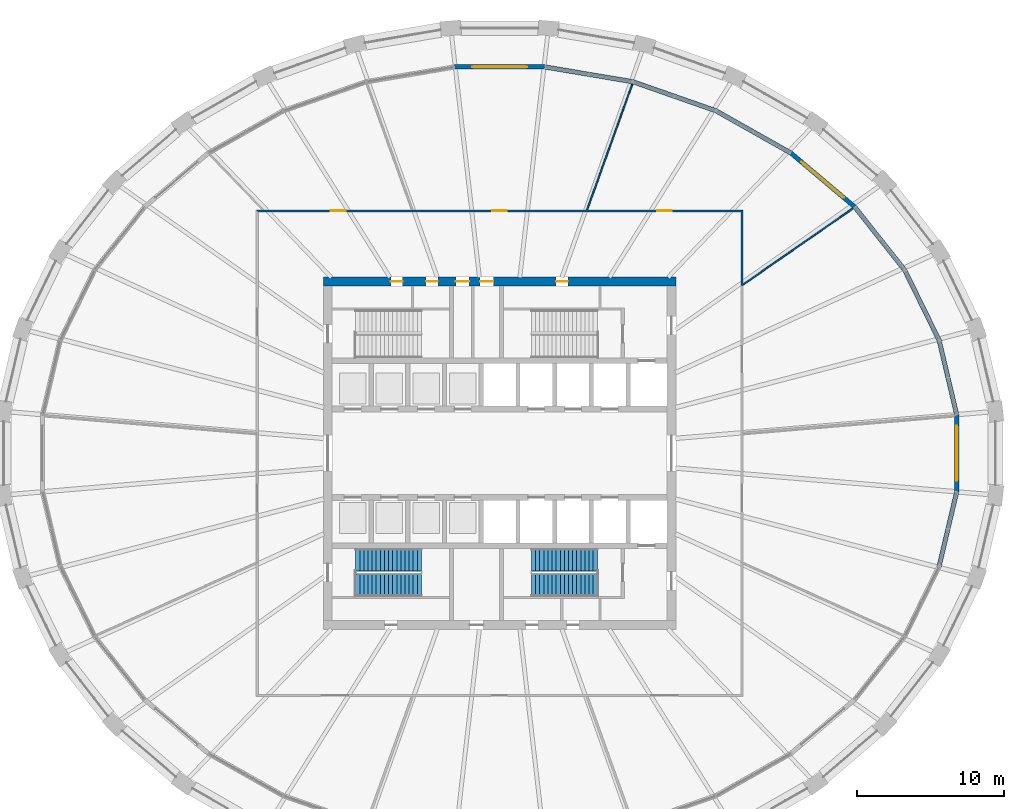
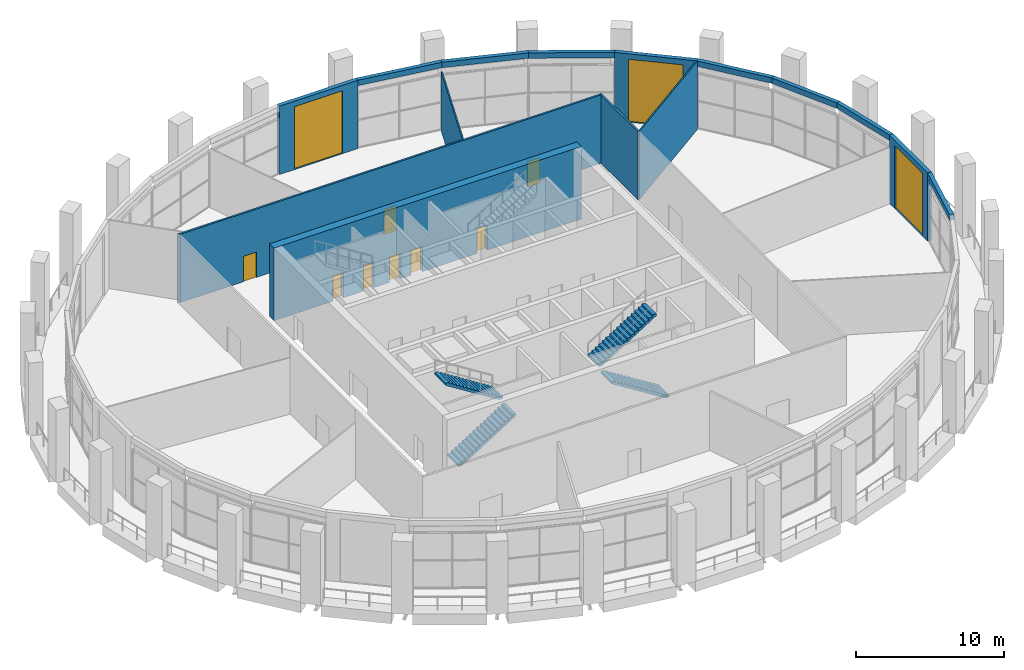
# One storey, part 15 of 19: 15 walls, 11 doors, 4 stair flights, 11 openings, 2 elements without a shape of their own.
"""IFC4 building model written with IfcOpenShell, lengths in metres."""

from ifc_helpers import new_model, si_unit, direction, frame, frame_2d, origin, place, context, subcontext, project, spatial, polyline, rectangle, outline, extrude, material, layer, layer_set, type_object, element, fill, aggregate, save


model = new_model("IFC4")

# Units and contexts
model_context = context("Model", 3, precision=1e-05, world=origin(), true_north=direction((0.0, 1.0)))
body_context = subcontext(model_context, "Body", "Model", "MODEL_VIEW")
ifc_project = project(units=[si_unit("LENGTHUNIT", "METRE"), si_unit("AREAUNIT", "SQUARE_METRE"), si_unit("VOLUMEUNIT", "CUBIC_METRE"), si_unit("PLANEANGLEUNIT", "RADIAN"), si_unit("MASSUNIT", "GRAM", prefix="KILO")], contexts=[model_context])

# Site, building, storey
site_placement = place(None, origin())
site = spatial("IfcSite", under=ifc_project, at=site_placement, CompositionType="ELEMENT")
building_placement = place(site_placement, origin())
building = spatial("IfcBuilding", under=site, at=building_placement, Name="Halqa Exchange Tower", CompositionType="ELEMENT")
storey_placement = place(building_placement, frame((0.0, 0.0, 167.5)))
storey = spatial("IfcBuildingStorey", under=building, at=storey_placement, Name="L38", CompositionType="ELEMENT", Elevation=167.5)

# Wall, openings, doors
ifc_material_1 = material(Name="Fire-rated gypsum board")
ifc_layer_1 = layer(ifc_material_1, 0.14990234375)
ifc_layer_set_1 = layer_set([ifc_layer_1], Name="Fire-rated gypsum board")
wall_type_1 = type_object("IfcWallType", Name="Fire partition EI 60 150", PredefinedType="PARTITIONING", material=ifc_layer_set_1)
wall_1_placement = place(storey_placement, frame((-16.574951171875, 16.5, 0.0), z_axis=(0.0, 0.0, 1.0), x_axis=(1.0, 0.0, 0.0)))
wall_1 = element("IfcWall", 1, at=wall_1_placement, inside=storey, type_object=wall_type_1, Name="L38-PWL-007", PredefinedType="PARTITIONING", context=body_context, shape_type="SweptSolid", body=[
    extrude(outline(polyline([(0.14990234375, -0.074951171875), (2.082275390625, -0.074951171875), (4.0146484375, -0.074951171875), (5.947021484375, -0.074951171875), (7.87939453125, -0.074951171875), (9.811767578125, -0.074951171875), (11.744140625, -0.074951171875), (13.676513671875, -0.074951171875), (15.60888671875, -0.074951171875), (17.541015625, -0.074951171875), (19.473388671875, -0.074951171875), (21.40576171875, -0.074951171875), (23.338134765625, -0.074951171875), (25.2705078125, -0.074951171875), (27.202880859375, -0.074951171875), (29.13525390625, -0.074951171875), (31.067626953125, -0.074951171875), (33.0, -0.074951171875), (33.14990234375, 0.074951171875), (31.199951171875, 0.074951171875), (29.25, 0.074951171875), (27.2998046875, 0.074951171875), (25.349853515625, 0.074951171875), (23.39990234375, 0.074951171875), (21.449951171875, 0.074951171875), (19.5, 0.074951171875), (17.550048828125, 0.074951171875), (15.599853515625, 0.074951171875), (13.64990234375, 0.074951171875), (11.699951171875, 0.074951171875), (9.75, 0.074951171875), (7.800048828125, 0.074951171875), (5.85009765625, 0.074951171875), (3.89990234375, 0.074951171875), (1.949951171875, 0.074951171875), (0.0, 0.074951171875), (0.14990234375, -0.074951171875)])), origin(), (0.0, 0.0, 1.0), 5.64990234375),
])
opening_1_placement = place(wall_1_placement, frame((27.2900390625, 0.0, 0.0)))
opening_1 = element("IfcOpeningElement", 2, at=opening_1_placement, cuts=wall_1, Name="Opening L38-01", PredefinedType="OPENING", context=body_context, shape_type="SweptSolid", body=[
    extrude(rectangle(XDim=1.0, YDim=2.10009765625, at=frame_2d((0.5, 1.050048828125))), frame((0.0, 0.0869140625, 0.0), z_axis=(0.0, -1.0, 0.0), x_axis=(1.0, 0.0, 0.0)), (0.0, 0.0, 1.0), 0.173828125),
])
opening_2_placement = place(wall_1_placement, frame((16.074951171875, 0.0, 0.0)))
opening_2 = element("IfcOpeningElement", 3, at=opening_2_placement, cuts=wall_1, Name="Opening L38-02", PredefinedType="OPENING", context=body_context, shape_type="SweptSolid", body=[
    extrude(rectangle(XDim=1.0, YDim=2.10009765625, at=frame_2d((0.5, 1.050048828125))), frame((0.0, 0.0869140625, 0.0), z_axis=(0.0, -1.0, 0.0), x_axis=(1.0, 0.0, 0.0)), (0.0, 0.0, 1.0), 0.173828125),
])
opening_3_placement = place(wall_1_placement, frame((5.090087890625, 0.0, 0.0)))
opening_3 = element("IfcOpeningElement", 4, at=opening_3_placement, cuts=wall_1, Name="Opening L38-03", PredefinedType="OPENING", context=body_context, shape_type="SweptSolid", body=[
    extrude(rectangle(XDim=1.0, YDim=2.10009765625, at=frame_2d((0.5, 1.050048828125))), frame((0.0, 0.0869140625, 0.0), z_axis=(0.0, -1.0, 0.0), x_axis=(1.0, 0.0, 0.0)), (0.0, 0.0, 1.0), 0.173828125),
])
ifc_material_2 = material(Name="Steel fire door leaf", Category="steel")
door_type_1 = type_object("IfcDoorType", Name="Fire door FD30S 1000 x 2100", OperationType="SINGLE_SWING_LEFT", PredefinedType="DOOR", material=ifc_material_2)
door_1_placement = place(opening_1_placement, origin())
door_1 = element("IfcDoor", 5, at=door_1_placement, inside=storey, type_object=door_type_1, Name="L38-IDR-001", OperationType="SINGLE_SWING_RIGHT", OverallHeight=2.10009765625, OverallWidth=1.0, PredefinedType="DOOR", context=body_context, shape_type="SweptSolid", body=[
    extrude(rectangle(XDim=1.0, YDim=2.10009765625, at=frame_2d((0.5, 1.050048828125))), frame((0.0, 0.02490234375, 0.0), z_axis=(0.0, -1.0, 0.0), x_axis=(1.0, 0.0, 0.0)), (0.0, 0.0, 1.0), 0.050048828125),
])
fill(opening_1, door_1)
door_2_placement = place(opening_2_placement, origin())
door_2 = element("IfcDoor", 6, at=door_2_placement, inside=storey, type_object=door_type_1, Name="L38-IDR-002", OperationType="SINGLE_SWING_RIGHT", OverallHeight=2.10009765625, OverallWidth=1.0, PredefinedType="DOOR", context=body_context, shape_type="SweptSolid", body=[
    extrude(rectangle(XDim=1.0, YDim=2.10009765625, at=frame_2d((0.5, 1.050048828125))), frame((0.0, 0.02490234375, 0.0), z_axis=(0.0, -1.0, 0.0), x_axis=(1.0, 0.0, 0.0)), (0.0, 0.0, 1.0), 0.050048828125),
])
fill(opening_2, door_2)
door_3_placement = place(opening_3_placement, origin())
door_3 = element("IfcDoor", 7, at=door_3_placement, inside=storey, type_object=door_type_1, Name="L38-IDR-003", OperationType="SINGLE_SWING_RIGHT", OverallHeight=2.10009765625, OverallWidth=1.0, PredefinedType="DOOR", context=body_context, shape_type="SweptSolid", body=[
    extrude(rectangle(XDim=1.0, YDim=2.10009765625, at=frame_2d((0.5, 1.050048828125))), frame((0.0, 0.02490234375, 0.0), z_axis=(0.0, -1.0, 0.0), x_axis=(1.0, 0.0, 0.0)), (0.0, 0.0, 1.0), 0.050048828125),
])
fill(opening_3, door_3)

# Walls
wall_2_placement = place(storey_placement, frame((16.5, 16.574951171875, 0.0), z_axis=(0.0, 0.0, 1.0), x_axis=(0.0, -1.0, 0.0)))
element("IfcWall", 8, at=wall_2_placement, inside=storey, type_object=wall_type_1, Name="L38-PWL-017", PredefinedType="PARTITIONING", context=body_context, shape_type="SweptSolid", body=[
    extrude(outline(polyline([(5.14501953125, 0.074951171875), (3.429931640625, 0.074951171875), (1.715087890625, 0.074951171875), (0.0, 0.074951171875), (0.14990234375, -0.074951171875), (1.81494140625, -0.074951171875), (3.47998046875, -0.074951171875), (5.14501953125, -0.074951171875), (5.14501953125, 0.074951171875)])), origin(), (0.0, 0.0, 1.0), 5.64990234375),
])
ifc_material_3 = material(Name="Gypsum board")
ifc_layer_2 = layer(ifc_material_3, 0.10009765625)
ifc_layer_set_2 = layer_set([ifc_layer_2], Name="Gypsum board")
wall_type_2 = type_object("IfcWallType", Name="Partition 100 gypsum", PredefinedType="PARTITIONING", material=ifc_layer_set_2)
wall_3_placement = place(storey_placement, frame((5.950927734375, 16.558349609375, 0.0), z_axis=(0.0, 0.0, 1.0), x_axis=(0.338285385043, 0.94104356874, 0.0)))
element("IfcWall", 9, at=wall_3_placement, inside=storey, type_object=wall_type_2, Name="L38-PWL-012", PredefinedType="PARTITIONING", context=body_context, shape_type="SweptSolid", body=[
    extrude(outline(polyline([(9.122314453125, -0.050048828125), (9.122314453125, -0.005859375), (9.122314453125, 0.0029296875), (9.11376953125, 0.050048828125), (7.291015625, 0.050048828125), (5.46826171875, 0.050048828125), (3.6455078125, 0.050048828125), (1.82275390625, 0.050048828125), (0.0, 0.050048828125), (0.0, 0.04931640625), (0.03564453125, -0.050048828125), (1.85302734375, -0.050048828125), (3.67041015625, -0.050048828125), (5.487548828125, -0.050048828125), (7.304931640625, -0.050048828125), (9.122314453125, -0.050048828125)])), origin(), (0.0, 0.0, 1.0), 4.8798828125),
])
wall_4_placement = place(storey_placement, frame((24.05810546875, 16.672119140625, 0.0), z_axis=(0.0, 0.0, 1.0), x_axis=(-0.821707329214, -0.56990969909, 0.0)))
element("IfcWall", 10, at=wall_4_placement, inside=storey, type_object=wall_type_2, Name="L38-PWL-018", PredefinedType="PARTITIONING", context=body_context, shape_type="SweptSolid", body=[
    extrude(outline(polyline([(0.016845703125, -0.050048828125), (1.827880859375, -0.050048828125), (3.638916015625, -0.050048828125), (5.449951171875, -0.050048828125), (7.260986328125, -0.050048828125), (9.072021484375, -0.050048828125), (9.136474609375, 0.042724609375), (9.148681640625, 0.0341796875), (9.15966796875, 0.050048828125), (9.15966796875, 0.050048828125), (7.32763671875, 0.050048828125), (5.495849609375, 0.050048828125), (3.663818359375, 0.050048828125), (1.83203125, 0.050048828125), (0.0, 0.050048828125), (0.0, 0.047607421875), (0.0029296875, 0.001953125), (0.016845703125, -0.050048828125)])), origin(), (0.0, 0.0, 1.0), 5.64990234375),
])

# Wall, openings, doors
ifc_material_4 = material(Name="Concrete C70/85", Category="concrete")
ifc_layer_3 = layer(ifc_material_4, 0.60009765625)
ifc_layer_set_3 = layer_set([ifc_layer_3], Name="Concrete C70/85")
wall_type_3 = type_object("IfcWallType", Name="RC core wall 600 C70/85", PredefinedType="SHEAR", material=ifc_layer_set_3)
wall_5_placement = place(storey_placement, frame((-12.0, 11.699951171875, 0.0), z_axis=(0.0, 0.0, 1.0), x_axis=(1.0, 0.0, 0.0)))
wall_5 = element("IfcWall", 11, at=wall_5_placement, inside=storey, type_object=wall_type_3, Name="Core wall north", PredefinedType="SHEAR", context=body_context, shape_type="SweptSolid", body=[
    extrude(rectangle(XDim=24.0, YDim=0.60009765625, at=frame_2d((12.0, 0.0))), origin(), (0.0, 0.0, 1.0), 6.0),
])
opening_4_placement = place(wall_5_placement, frame((9.02490234375, 0.0, 0.0)))
opening_4 = element("IfcOpeningElement", 12, at=opening_4_placement, cuts=wall_5, Name="Opening L38-C25", PredefinedType="OPENING", context=body_context, shape_type="SweptSolid", body=[
    extrude(rectangle(XDim=0.89990234375, YDim=2.10009765625, at=frame_2d((0.449951171875, 1.050048828125))), frame((0.0, 0.31201171875, 0.0), z_axis=(0.0, -1.0, 0.0), x_axis=(1.0, 0.0, 0.0)), (0.0, 0.0, 1.0), 0.6240234375),
])
opening_5_placement = place(wall_5_placement, frame((10.675048828125, 0.0, 0.0)))
opening_5 = element("IfcOpeningElement", 13, at=opening_5_placement, cuts=wall_5, Name="Opening L38-C26", PredefinedType="OPENING", context=body_context, shape_type="SweptSolid", body=[
    extrude(rectangle(XDim=0.89990234375, YDim=2.10009765625, at=frame_2d((0.449951171875, 1.050048828125))), frame((0.0, 0.31201171875, 0.0), z_axis=(0.0, -1.0, 0.0), x_axis=(1.0, 0.0, 0.0)), (0.0, 0.0, 1.0), 0.6240234375),
])
opening_6_placement = place(wall_5_placement, frame((4.60009765625, 0.0, 0.0)))
opening_6 = element("IfcOpeningElement", 14, at=opening_6_placement, cuts=wall_5, Name="Opening L38-C27", PredefinedType="OPENING", context=body_context, shape_type="SweptSolid", body=[
    extrude(rectangle(XDim=0.800048828125, YDim=2.10009765625, at=frame_2d((0.39990234375, 1.050048828125))), frame((0.0, 0.31201171875, 0.0), z_axis=(0.0, -1.0, 0.0), x_axis=(1.0, 0.0, 0.0)), (0.0, 0.0, 1.0), 0.6240234375),
])
opening_7_placement = place(wall_5_placement, frame((7.0, 0.0, 0.0)))
opening_7 = element("IfcOpeningElement", 15, at=opening_7_placement, cuts=wall_5, Name="Opening L38-C28", PredefinedType="OPENING", context=body_context, shape_type="SweptSolid", body=[
    extrude(rectangle(XDim=0.800048828125, YDim=2.10009765625, at=frame_2d((0.39990234375, 1.050048828125))), frame((0.0, 0.31201171875, 0.0), z_axis=(0.0, -1.0, 0.0), x_axis=(1.0, 0.0, 0.0)), (0.0, 0.0, 1.0), 0.6240234375),
])
opening_8_placement = place(wall_5_placement, frame((15.85009765625, 0.0, 0.0)))
opening_8 = element("IfcOpeningElement", 16, at=opening_8_placement, cuts=wall_5, Name="Opening L38-C29", PredefinedType="OPENING", context=body_context, shape_type="SweptSolid", body=[
    extrude(rectangle(XDim=0.800048828125, YDim=2.10009765625, at=frame_2d((0.39990234375, 1.050048828125))), frame((0.0, 0.31201171875, 0.0), z_axis=(0.0, -1.0, 0.0), x_axis=(1.0, 0.0, 0.0)), (0.0, 0.0, 1.0), 0.6240234375),
])
ifc_material_5 = material(Name="Timber fire door leaf", Category="wood")
door_type_2 = type_object("IfcDoorType", Name="Core room door FD30 900 x 2100", OperationType="SINGLE_SWING_LEFT", PredefinedType="DOOR", material=ifc_material_5)
door_4_placement = place(opening_4_placement, frame((0.89990234375, 0.0, 0.0), z_axis=(0.0, 0.0, 1.0), x_axis=(-1.0, 0.0, 0.0)))
door_4 = element("IfcDoor", 17, at=door_4_placement, inside=storey, type_object=door_type_2, Name="Core room door", OperationType="SINGLE_SWING_RIGHT", OverallHeight=2.10009765625, OverallWidth=0.89990234375, PredefinedType="DOOR", context=body_context, shape_type="SweptSolid", body=[
    extrude(rectangle(XDim=0.89990234375, YDim=2.10009765625, at=frame_2d((0.449951171875, 1.050048828125))), frame((0.0, 0.02490234375, 0.0), z_axis=(0.0, -1.0, 0.0), x_axis=(1.0, 0.0, 0.0)), (0.0, 0.0, 1.0), 0.050048828125),
])
fill(opening_4, door_4)
door_5_placement = place(opening_5_placement, frame((0.89990234375, 0.0, 0.0), z_axis=(0.0, 0.0, 1.0), x_axis=(-1.0, 0.0, 0.0)))
door_5 = element("IfcDoor", 18, at=door_5_placement, inside=storey, type_object=door_type_2, Name="Core room door", OperationType="SINGLE_SWING_RIGHT", OverallHeight=2.10009765625, OverallWidth=0.89990234375, PredefinedType="DOOR", context=body_context, shape_type="SweptSolid", body=[
    extrude(rectangle(XDim=0.89990234375, YDim=2.10009765625, at=frame_2d((0.449951171875, 1.050048828125))), frame((0.0, 0.02490234375, 0.0), z_axis=(0.0, -1.0, 0.0), x_axis=(1.0, 0.0, 0.0)), (0.0, 0.0, 1.0), 0.050048828125),
])
fill(opening_5, door_5)
door_type_3 = type_object("IfcDoorType", Name="Riser door FD60 800 x 2100", OperationType="SINGLE_SWING_LEFT", PredefinedType="DOOR", material=ifc_material_2)
door_6_placement = place(opening_6_placement, frame((0.800048828125, 0.0, 0.0), z_axis=(0.0, 0.0, 1.0), x_axis=(-1.0, 0.0, 0.0)))
door_6 = element("IfcDoor", 19, at=door_6_placement, inside=storey, type_object=door_type_3, Name="Core room door", OperationType="SINGLE_SWING_RIGHT", OverallHeight=2.10009765625, OverallWidth=0.800048828125, PredefinedType="DOOR", context=body_context, shape_type="SweptSolid", body=[
    extrude(rectangle(XDim=0.800048828125, YDim=2.10009765625, at=frame_2d((0.39990234375, 1.050048828125))), frame((0.0, 0.02490234375, 0.0), z_axis=(0.0, -1.0, 0.0), x_axis=(1.0, 0.0, 0.0)), (0.0, 0.0, 1.0), 0.050048828125),
])
fill(opening_6, door_6)
door_7_placement = place(opening_7_placement, frame((0.800048828125, 0.0, 0.0), z_axis=(0.0, 0.0, 1.0), x_axis=(-1.0, 0.0, 0.0)))
door_7 = element("IfcDoor", 20, at=door_7_placement, inside=storey, type_object=door_type_3, Name="Core room door", OperationType="SINGLE_SWING_LEFT", OverallHeight=2.10009765625, OverallWidth=0.800048828125, PredefinedType="DOOR", context=body_context, shape_type="SweptSolid", body=[
    extrude(rectangle(XDim=0.800048828125, YDim=2.10009765625, at=frame_2d((0.39990234375, 1.050048828125))), frame((0.0, 0.02490234375, 0.0), z_axis=(0.0, -1.0, 0.0), x_axis=(1.0, 0.0, 0.0)), (0.0, 0.0, 1.0), 0.050048828125),
])
fill(opening_7, door_7)
door_8_placement = place(opening_8_placement, frame((0.800048828125, 0.0, 0.0), z_axis=(0.0, 0.0, 1.0), x_axis=(-1.0, 0.0, 0.0)))
door_8 = element("IfcDoor", 21, at=door_8_placement, inside=storey, type_object=door_type_3, Name="Core room door", OperationType="SINGLE_SWING_RIGHT", OverallHeight=2.10009765625, OverallWidth=0.800048828125, PredefinedType="DOOR", context=body_context, shape_type="SweptSolid", body=[
    extrude(rectangle(XDim=0.800048828125, YDim=2.10009765625, at=frame_2d((0.39990234375, 1.050048828125))), frame((0.0, 0.02490234375, 0.0), z_axis=(0.0, -1.0, 0.0), x_axis=(1.0, 0.0, 0.0)), (0.0, 0.0, 1.0), 0.050048828125),
])
fill(opening_8, door_8)

# Wall, opening, door
ifc_material_6 = material(Name="Limestone cladding", Category="masonry")
ifc_layer_4 = layer(ifc_material_6, 0.0400390625)
ifc_material_7 = material(Name="Ventilated cavity")
ifc_layer_5 = layer(ifc_material_7, 0.030029296875, ventilated=True)
ifc_material_8 = material(Name="Mineral wool insulation")
ifc_layer_6 = layer(ifc_material_8, 0.10009765625)
ifc_material_9 = material(Name="Concrete C30/37", Category="concrete")
ifc_layer_7 = layer(ifc_material_9, 0.10009765625)
ifc_material_10 = material(Name="Internal plaster")
ifc_layer_8 = layer(ifc_material_10, 0.030029296875)
ifc_layer_set_4 = layer_set([ifc_layer_4, ifc_layer_5, ifc_layer_6, ifc_layer_7, ifc_layer_8], Name="Stone-faced insulated wall 300")
wall_type_4 = type_object("IfcWallType", Name="Stone-faced insulated wall 300", PredefinedType="STANDARD", material=ifc_layer_set_4)
wall_6_placement = place(storey_placement, frame((24.165283203125, 16.773681640625, 0.0), z_axis=(0.0, 0.0, 1.0), x_axis=(-0.764076096085, 0.645126126732, 0.0)))
wall_6 = element("IfcWall", 22, at=wall_6_placement, inside=storey, type_object=wall_type_4, Name="Glass-line wall 4", PredefinedType="STANDARD", context=body_context, shape_type="SweptSolid", body=[
    extrude(outline(polyline([(-0.01513671875, -0.14990234375), (5.689208984375, -0.14990234375), (5.660888671875, 0.14990234375), (0.01513671875, 0.14990234375), (-0.01513671875, -0.14990234375)])), origin(), (0.0, 0.0, 1.0), 5.64990234375),
])
opening_9_placement = place(wall_6_placement, frame((0.96240234375, 0.0, 0.0)))
opening_9 = element("IfcOpeningElement", 23, at=opening_9_placement, cuts=wall_6, Name="Opening LGS-F2-01", PredefinedType="OPENING", context=body_context, shape_type="SweptSolid", body=[
    extrude(rectangle(XDim=3.75, YDim=5.199951171875, at=frame_2d((1.875, 2.60009765625))), frame((0.0, 0.162109375, 0.0), z_axis=(0.0, -1.0, 0.0), x_axis=(1.0, 0.0, 0.0)), (0.0, 0.0, 1.0), 0.323974609375),
])
ifc_material_11 = material(Name="Clear low-emissivity glass in aluminium frame", Category="aluminium")
door_type_4 = type_object("IfcDoorType", Name="Glazed sliding balcony door 3750 x 5200", OperationType="DOUBLE_DOOR_SLIDING", PredefinedType="DOOR", material=ifc_material_11)
door_9_placement = place(opening_9_placement, origin())
door_9 = element("IfcDoor", 24, at=door_9_placement, inside=storey, type_object=door_type_4, Name="Loggia door 1", OperationType="DOUBLE_DOOR_SLIDING", OverallHeight=5.199951171875, OverallWidth=3.75, PredefinedType="DOOR", context=body_context, shape_type="SweptSolid", body=[
    extrude(rectangle(XDim=3.75, YDim=5.199951171875, at=frame_2d((1.875, 2.60009765625))), frame((0.0, 0.02490234375, 0.0), z_axis=(0.0, -1.0, 0.0), x_axis=(1.0, 0.0, 0.0)), (0.0, 0.0, 1.0), 0.050048828125),
])
fill(opening_9, door_9)

wall_7_placement = place(storey_placement, frame((3.06298828125, 26.298583984375, 0.0), z_axis=(0.0, 0.0, 1.0), x_axis=(-1.0, 0.0, 0.0)))
wall_7 = element("IfcWall", 25, at=wall_7_placement, inside=storey, type_object=wall_type_4, Name="Glass-line wall 8", PredefinedType="STANDARD", context=body_context, shape_type="SweptSolid", body=[
    extrude(outline(polyline([(-0.012451171875, -0.14990234375), (6.138427734375, -0.14990234375), (6.113525390625, 0.14990234375), (0.012451171875, 0.14990234375), (-0.012451171875, -0.14990234375)])), origin(), (0.0, 0.0, 1.0), 5.64990234375),
])
opening_10_placement = place(wall_7_placement, frame((1.18798828125, 0.0, 0.0)))
opening_10 = element("IfcOpeningElement", 26, at=opening_10_placement, cuts=wall_7, Name="Opening LGS-F2-02", PredefinedType="OPENING", context=body_context, shape_type="SweptSolid", body=[
    extrude(rectangle(XDim=3.75, YDim=5.199951171875, at=frame_2d((1.875, 2.60009765625))), frame((0.0, 0.162109375, 0.0), z_axis=(0.0, -1.0, 0.0), x_axis=(1.0, 0.0, 0.0)), (0.0, 0.0, 1.0), 0.323974609375),
])
door_10_placement = place(opening_10_placement, origin())
door_10 = element("IfcDoor", 27, at=door_10_placement, inside=storey, type_object=door_type_4, Name="Loggia door 2", OperationType="DOUBLE_DOOR_SLIDING", OverallHeight=5.199951171875, OverallWidth=3.75, PredefinedType="DOOR", context=body_context, shape_type="SweptSolid", body=[
    extrude(rectangle(XDim=3.75, YDim=5.199951171875, at=frame_2d((1.875, 2.60009765625))), frame((0.0, 0.02490234375, 0.0), z_axis=(0.0, -1.0, 0.0), x_axis=(1.0, 0.0, 0.0)), (0.0, 0.0, 1.0), 0.050048828125),
])
fill(opening_10, door_10)

wall_8_placement = place(storey_placement, frame((31.12109375, -2.5927734375, 0.0), z_axis=(0.0, 0.0, 1.0), x_axis=(0.0, 1.0, 0.0)))
wall_8 = element("IfcWall", 28, at=wall_8_placement, inside=storey, type_object=wall_type_4, Name="Glass-line wall 32", PredefinedType="STANDARD", context=body_context, shape_type="SweptSolid", body=[
    extrude(outline(polyline([(-0.017333984375, -0.14990234375), (5.202880859375, -0.14990234375), (5.168212890625, 0.14990234375), (0.017333984375, 0.14990234375), (-0.017333984375, -0.14990234375)])), origin(), (0.0, 0.0, 1.0), 5.64990234375),
])
opening_11_placement = place(wall_8_placement, frame((0.7177734375, 0.0, 0.0)))
opening_11 = element("IfcOpeningElement", 29, at=opening_11_placement, cuts=wall_8, Name="Opening LGS-F2-08", PredefinedType="OPENING", context=body_context, shape_type="SweptSolid", body=[
    extrude(rectangle(XDim=3.75, YDim=5.199951171875, at=frame_2d((1.875, 2.60009765625))), frame((0.0, 0.162109375, 0.0), z_axis=(0.0, -1.0, 0.0), x_axis=(1.0, 0.0, 0.0)), (0.0, 0.0, 1.0), 0.323974609375),
])
door_11_placement = place(opening_11_placement, origin())
door_11 = element("IfcDoor", 30, at=door_11_placement, inside=storey, type_object=door_type_4, Name="Loggia door 8", OperationType="DOUBLE_DOOR_SLIDING", OverallHeight=5.199951171875, OverallWidth=3.75, PredefinedType="DOOR", context=body_context, shape_type="SweptSolid", body=[
    extrude(rectangle(XDim=3.75, YDim=5.199951171875, at=frame_2d((1.875, 2.60009765625))), frame((0.0, 0.02490234375, 0.0), z_axis=(0.0, -1.0, 0.0), x_axis=(1.0, 0.0, 0.0)), (0.0, 0.0, 1.0), 0.050048828125),
])
fill(opening_11, door_11)

# Walls
ifc_layer_9 = layer(ifc_material_6, 0.0400390625)
ifc_layer_10 = layer(ifc_material_7, 0.030029296875, ventilated=True)
ifc_layer_11 = layer(ifc_material_8, 0.10009765625)
ifc_layer_12 = layer(ifc_material_9, 0.10009765625)
ifc_layer_13 = layer(ifc_material_10, 0.030029296875)
ifc_layer_set_5 = layer_set([ifc_layer_9, ifc_layer_10, ifc_layer_11, ifc_layer_12, ifc_layer_13], Name="Stone-faced spandrel wall 300")
wall_type_5 = type_object("IfcWallType", Name="Stone-faced spandrel wall 300", PredefinedType="STANDARD", material=ifc_layer_set_5)
wall_9_placement = place(storey_placement, frame((31.12109375, 2.5927734375, 5.199951171875), z_axis=(0.0, 0.0, 1.0), x_axis=(-0.229297175564, 0.973356463624, 0.0)))
element("IfcWall", 31, at=wall_9_placement, inside=storey, type_object=wall_type_5, Name="Spandrel wall 1", PredefinedType="STANDARD", context=body_context, shape_type="SweptSolid", body=[
    extrude(outline(polyline([(-0.017333984375, -0.14990234375), (5.241455078125, -0.14990234375), (5.207763671875, 0.14990234375), (0.017333984375, 0.14990234375), (-0.017333984375, -0.14990234375)])), origin(), (0.0, 0.0, 1.0), 0.449951171875),
])
wall_10_placement = place(storey_placement, frame((29.923095703125, 7.67822265625, 5.199951171875), z_axis=(0.0, 0.0, 1.0), x_axis=(-0.440444485575, 0.897779847806, 0.0)))
element("IfcWall", 32, at=wall_10_placement, inside=storey, type_object=wall_type_5, Name="Spandrel wall 2", PredefinedType="STANDARD", context=body_context, shape_type="SweptSolid", body=[
    extrude(outline(polyline([(-0.016845703125, -0.14990234375), (5.349609375, -0.14990234375), (5.3173828125, 0.14990234375), (0.016845703125, 0.14990234375), (-0.016845703125, -0.14990234375)])), origin(), (0.0, 0.0, 1.0), 0.449951171875),
])
wall_11_placement = place(storey_placement, frame((27.573974609375, 12.466552734375, 5.199951171875), z_axis=(0.0, 0.0, 1.0), x_axis=(-0.620577705153, 0.784144955902, 0.0)))
element("IfcWall", 33, at=wall_11_placement, inside=storey, type_object=wall_type_5, Name="Spandrel wall 3", PredefinedType="STANDARD", context=body_context, shape_type="SweptSolid", body=[
    extrude(outline(polyline([(-0.01611328125, -0.14990234375), (5.5078125, -0.14990234375), (5.4775390625, 0.14990234375), (0.01611328125, 0.14990234375), (-0.01611328125, -0.14990234375)])), origin(), (0.0, 0.0, 1.0), 0.449951171875),
])
wall_12_placement = place(storey_placement, frame((19.8291015625, 20.434814453125, 5.199951171875), z_axis=(0.0, 0.0, 1.0), x_axis=(-0.870982130072, 0.491314694565, 0.0)))
element("IfcWall", 34, at=wall_12_placement, inside=storey, type_object=wall_type_5, Name="Spandrel wall 5", PredefinedType="STANDARD", context=body_context, shape_type="SweptSolid", body=[
    extrude(outline(polyline([(-0.01416015625, -0.14990234375), (5.864990234375, -0.14990234375), (5.838134765625, 0.14990234375), (0.01416015625, 0.14990234375), (-0.01416015625, -0.14990234375)])), origin(), (0.0, 0.0, 1.0), 0.449951171875),
])
wall_13_placement = place(storey_placement, frame((14.732421875, 23.309814453125, 5.199951171875), z_axis=(0.0, 0.0, 1.0), x_axis=(-0.943944636678, 0.330103806228, 0.0)))
element("IfcWall", 35, at=wall_13_placement, inside=storey, type_object=wall_type_5, Name="Spandrel wall 6", PredefinedType="STANDARD", context=body_context, shape_type="SweptSolid", body=[
    extrude(outline(polyline([(-0.013427734375, -0.14990234375), (6.010009765625, -0.14990234375), (5.984619140625, 0.14990234375), (0.013427734375, 0.14990234375), (-0.013427734375, -0.14990234375)])), origin(), (0.0, 0.0, 1.0), 0.449951171875),
])
wall_14_placement = place(storey_placement, frame((9.0712890625, 25.28955078125, 5.199951171875), z_axis=(0.0, 0.0, 1.0), x_axis=(-0.98618955457, 0.165620537547, 0.0)))
element("IfcWall", 36, at=wall_14_placement, inside=storey, type_object=wall_type_5, Name="Spandrel wall 7", PredefinedType="STANDARD", context=body_context, shape_type="SweptSolid", body=[
    extrude(outline(polyline([(-0.0126953125, -0.14990234375), (6.10498046875, -0.14990234375), (6.080078125, 0.14990234375), (0.0126953125, 0.14990234375), (-0.0126953125, -0.14990234375)])), origin(), (0.0, 0.0, 1.0), 0.449951171875),
])
wall_15_placement = place(storey_placement, frame((29.923095703125, -7.67822265625, 5.199951171875), z_axis=(0.0, 0.0, 1.0), x_axis=(0.229297175564, 0.973356463624, 0.0)))
element("IfcWall", 37, at=wall_15_placement, inside=storey, type_object=wall_type_5, Name="Spandrel wall 31", PredefinedType="STANDARD", context=body_context, shape_type="SweptSolid", body=[
    extrude(outline(polyline([(-0.016845703125, -0.14990234375), (5.241943359375, -0.14990234375), (5.207275390625, 0.14990234375), (0.016845703125, 0.14990234375), (-0.016845703125, -0.14990234375)])), origin(), (0.0, 0.0, 1.0), 0.449951171875),
])

# Stair, stair flights
stair_type = type_object("IfcStairType", Name="Exit stair 1500 wide", PredefinedType="HALF_TURN_STAIR", material=ifc_material_9)
stair_1_placement = place(storey_placement, origin())
stair_1 = element("IfcStair", 38, at=stair_1_placement, inside=storey, type_object=stair_type, Name="Exit stair ST3", PredefinedType="HALF_TURN_STAIR")
stair_flight_type = type_object("IfcStairFlightType", Name="Stair flight 1500 wide", PredefinedType="STRAIGHT", material=ifc_material_9)
stair_flight_1_placement = place(storey_placement, frame((-9.800048828125, -9.0, 0.0), z_axis=(0.0, 0.0, 1.0), x_axis=(1.0, 0.0, 0.0)))
stair_flight_1 = element("IfcStairFlight", 39, at=stair_flight_1_placement, type_object=stair_flight_type, Name="ST3 flight 1", NumberOfRisers=17, NumberOfTreads=16, PredefinedType="STRAIGHT", RiserHeight=0.176470588, TreadLength=0.28, context=body_context, shape_type="SweptSolid", body=[
    extrude(outline(polyline([(0.0, 0.0), (0.0, 0.176513671875), (0.280029296875, 0.176513671875), (0.280029296875, 0.35302734375), (0.56005859375, 0.35302734375), (0.56005859375, 0.529296875), (0.840087890625, 0.529296875), (0.840087890625, 0.705810546875), (1.1201171875, 0.705810546875), (1.1201171875, 0.88232421875), (1.39990234375, 0.88232421875), (1.39990234375, 1.058837890625), (1.679931640625, 1.058837890625), (1.679931640625, 1.2353515625), (1.9599609375, 1.2353515625), (1.9599609375, 1.411865234375), (2.239990234375, 1.411865234375), (2.239990234375, 1.588134765625), (2.52001953125, 1.588134765625), (2.52001953125, 1.7646484375), (2.800048828125, 1.7646484375), (2.800048828125, 1.941162109375), (3.080078125, 1.941162109375), (3.080078125, 2.11767578125), (3.360107421875, 2.11767578125), (3.360107421875, 2.294189453125), (3.639892578125, 2.294189453125), (3.639892578125, 2.470703125), (3.919921875, 2.470703125), (3.919921875, 2.64697265625), (4.199951171875, 2.64697265625), (4.199951171875, 2.823486328125), (4.47998046875, 2.823486328125), (4.47998046875, 3.0), (4.47998046875, 2.646240234375), (0.28125, 0.0), (0.0, 0.0)])), frame((0.0, 0.75, 0.0), z_axis=(0.0, -1.0, 0.0), x_axis=(1.0, 0.0, 0.0)), (0.0, 0.0, 1.0), 1.5),
])
stair_flight_2_placement = place(storey_placement, frame((-5.320068359375, -7.25, 3.0), z_axis=(0.0, 0.0, 1.0), x_axis=(-1.0, 0.0, 0.0)))
stair_flight_2 = element("IfcStairFlight", 40, at=stair_flight_2_placement, type_object=stair_flight_type, Name="ST3 flight 2", NumberOfRisers=17, NumberOfTreads=16, PredefinedType="STRAIGHT", RiserHeight=0.176470588, TreadLength=0.28, context=body_context, shape_type="SweptSolid", body=[
    extrude(outline(polyline([(0.0, 0.0), (0.0, 0.176513671875), (0.280029296875, 0.176513671875), (0.280029296875, 0.35302734375), (0.56005859375, 0.35302734375), (0.56005859375, 0.529296875), (0.840087890625, 0.529296875), (0.840087890625, 0.705810546875), (1.1201171875, 0.705810546875), (1.1201171875, 0.88232421875), (1.39990234375, 0.88232421875), (1.39990234375, 1.058837890625), (1.679931640625, 1.058837890625), (1.679931640625, 1.2353515625), (1.9599609375, 1.2353515625), (1.9599609375, 1.411865234375), (2.239990234375, 1.411865234375), (2.239990234375, 1.588134765625), (2.52001953125, 1.588134765625), (2.52001953125, 1.7646484375), (2.800048828125, 1.7646484375), (2.800048828125, 1.941162109375), (3.080078125, 1.941162109375), (3.080078125, 2.11767578125), (3.360107421875, 2.11767578125), (3.360107421875, 2.294189453125), (3.639892578125, 2.294189453125), (3.639892578125, 2.470703125), (3.919921875, 2.470703125), (3.919921875, 2.64697265625), (4.199951171875, 2.64697265625), (4.199951171875, 2.823486328125), (4.47998046875, 2.823486328125), (4.47998046875, 3.0), (4.47998046875, 2.646240234375), (0.28125, 0.0), (0.0, 0.0)])), frame((0.0, 0.75, 0.0), z_axis=(0.0, -1.0, 0.0), x_axis=(1.0, 0.0, 0.0)), (0.0, 0.0, 1.0), 1.5),
])
aggregate(stair_1, [stair_flight_1, stair_flight_2])

stair_2_placement = place(storey_placement, origin())
stair_2 = element("IfcStair", 41, at=stair_2_placement, inside=storey, type_object=stair_type, Name="Exit stair ST4", PredefinedType="HALF_TURN_STAIR")
stair_flight_3_placement = place(storey_placement, frame((6.64990234375, -9.0, 0.0), z_axis=(0.0, 0.0, 1.0), x_axis=(-1.0, 0.0, 0.0)))
stair_flight_3 = element("IfcStairFlight", 42, at=stair_flight_3_placement, type_object=stair_flight_type, Name="ST4 flight 1", NumberOfRisers=17, NumberOfTreads=16, PredefinedType="STRAIGHT", RiserHeight=0.176470588, TreadLength=0.28, context=body_context, shape_type="SweptSolid", body=[
    extrude(outline(polyline([(0.0, 0.0), (0.0, 0.176513671875), (0.280029296875, 0.176513671875), (0.280029296875, 0.35302734375), (0.56005859375, 0.35302734375), (0.56005859375, 0.529296875), (0.840087890625, 0.529296875), (0.840087890625, 0.705810546875), (1.1201171875, 0.705810546875), (1.1201171875, 0.88232421875), (1.39990234375, 0.88232421875), (1.39990234375, 1.058837890625), (1.679931640625, 1.058837890625), (1.679931640625, 1.2353515625), (1.9599609375, 1.2353515625), (1.9599609375, 1.411865234375), (2.239990234375, 1.411865234375), (2.239990234375, 1.588134765625), (2.52001953125, 1.588134765625), (2.52001953125, 1.7646484375), (2.800048828125, 1.7646484375), (2.800048828125, 1.941162109375), (3.080078125, 1.941162109375), (3.080078125, 2.11767578125), (3.360107421875, 2.11767578125), (3.360107421875, 2.294189453125), (3.639892578125, 2.294189453125), (3.639892578125, 2.470703125), (3.919921875, 2.470703125), (3.919921875, 2.64697265625), (4.199951171875, 2.64697265625), (4.199951171875, 2.823486328125), (4.47998046875, 2.823486328125), (4.47998046875, 3.0), (4.47998046875, 2.646240234375), (0.28125, 0.0), (0.0, 0.0)])), frame((0.0, 0.75, 0.0), z_axis=(0.0, -1.0, 0.0), x_axis=(1.0, 0.0, 0.0)), (0.0, 0.0, 1.0), 1.5),
])
stair_flight_4_placement = place(storey_placement, frame((2.169921875, -7.25, 3.0), z_axis=(0.0, 0.0, 1.0), x_axis=(1.0, 0.0, 0.0)))
stair_flight_4 = element("IfcStairFlight", 43, at=stair_flight_4_placement, type_object=stair_flight_type, Name="ST4 flight 2", NumberOfRisers=17, NumberOfTreads=16, PredefinedType="STRAIGHT", RiserHeight=0.176470588, TreadLength=0.28, context=body_context, shape_type="SweptSolid", body=[
    extrude(outline(polyline([(0.0, 0.0), (0.0, 0.176513671875), (0.280029296875, 0.176513671875), (0.280029296875, 0.35302734375), (0.56005859375, 0.35302734375), (0.56005859375, 0.529296875), (0.840087890625, 0.529296875), (0.840087890625, 0.705810546875), (1.1201171875, 0.705810546875), (1.1201171875, 0.88232421875), (1.39990234375, 0.88232421875), (1.39990234375, 1.058837890625), (1.679931640625, 1.058837890625), (1.679931640625, 1.2353515625), (1.9599609375, 1.2353515625), (1.9599609375, 1.411865234375), (2.239990234375, 1.411865234375), (2.239990234375, 1.588134765625), (2.52001953125, 1.588134765625), (2.52001953125, 1.7646484375), (2.800048828125, 1.7646484375), (2.800048828125, 1.941162109375), (3.080078125, 1.941162109375), (3.080078125, 2.11767578125), (3.360107421875, 2.11767578125), (3.360107421875, 2.294189453125), (3.639892578125, 2.294189453125), (3.639892578125, 2.470703125), (3.919921875, 2.470703125), (3.919921875, 2.64697265625), (4.199951171875, 2.64697265625), (4.199951171875, 2.823486328125), (4.47998046875, 2.823486328125), (4.47998046875, 3.0), (4.47998046875, 2.646240234375), (0.28125, 0.0), (0.0, 0.0)])), frame((0.0, 0.75, 0.0), z_axis=(0.0, -1.0, 0.0), x_axis=(1.0, 0.0, 0.0)), (0.0, 0.0, 1.0), 1.5),
])
aggregate(stair_2, [stair_flight_3, stair_flight_4])

save(model, "model.ifc")
